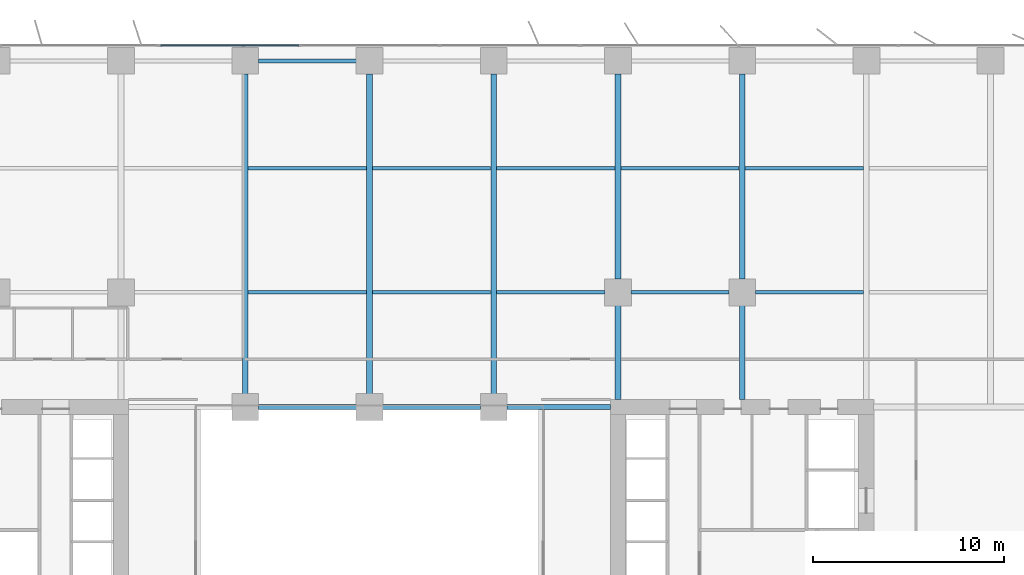
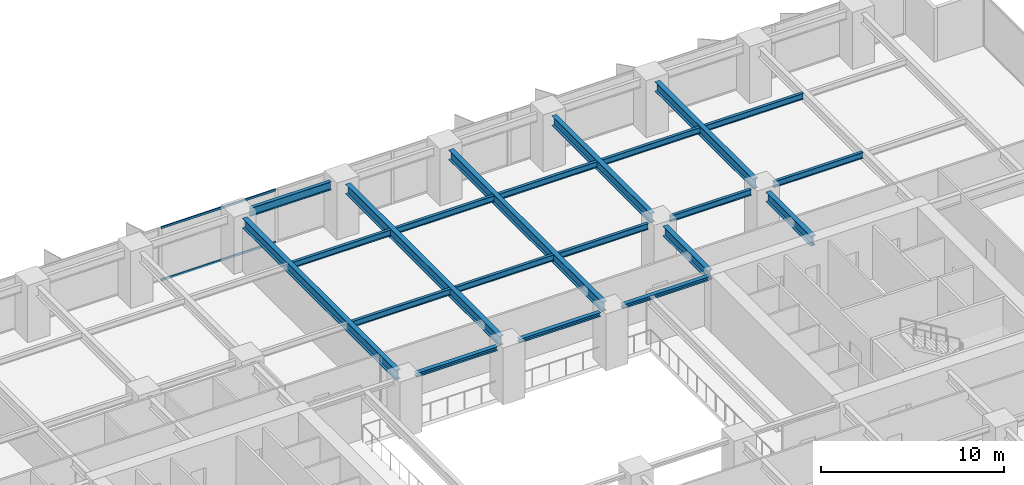
# One storey, part 8 of 20: 21 beams, 2 members, 1 element without a shape of its own.
"""IFC4 building model written with IfcOpenShell, lengths in metres."""

from ifc_helpers import new_model, si_unit, direction, frame, origin, origin_2d, place, context, subcontext, project, spatial, rectangle, i_section, extrude, material, layer, layer_set, material_profile, profile_set, type_object, element, aggregate, save


model = new_model("IFC4")

# Units and contexts
model_context = context("Model", 3, precision=1e-05, world=origin(), true_north=direction((0.0, 1.0)))
body_context = subcontext(model_context, "Body", "Model", "MODEL_VIEW")
ifc_project = project(units=[si_unit("LENGTHUNIT", "METRE"), si_unit("AREAUNIT", "SQUARE_METRE"), si_unit("VOLUMEUNIT", "CUBIC_METRE"), si_unit("PLANEANGLEUNIT", "RADIAN"), si_unit("MASSUNIT", "GRAM", prefix="KILO")], contexts=[model_context])

# Site, building, storey
site_placement = place(None, origin())
site = spatial("IfcSite", under=ifc_project, at=site_placement, CompositionType="ELEMENT")
building_placement = place(site_placement, origin())
building = spatial("IfcBuilding", under=site, at=building_placement, Name="Putna Gate Headquarters", CompositionType="ELEMENT")
storey_placement = place(building_placement, frame((0.0, 0.0, 35.39990234375)))
storey = spatial("IfcBuildingStorey", under=building, at=storey_placement, Name="L07", CompositionType="ELEMENT", Elevation=35.39990234375)

# Beams
ifc_material_1 = material(Name="Steel S355J2", Category="steel")
ifc_material_profile_1 = material_profile(ifc_material_1, i_section(OverallWidth=0.260009765625, OverallDepth=0.260009765625, WebThickness=0.010009765625, FlangeThickness=0.017578125, at=origin_2d()), Name="Steel S355J2")
ifc_profile_set_1 = profile_set([ifc_material_profile_1], Name="Steel S355J2")
beam_type_1 = type_object("IfcBeamType", Name="BM-ATRIUM-HEB260", PredefinedType="BEAM", material=ifc_profile_set_1)
for number, where, z_axis, x_axis, name in (
    (1, (33.18798828125, 33.0, 3.420166015625), (1.0, 0.0, 0.0), (0.0, 1.0, 0.0), "L07 Atrium Edge Beam AN2"),
    (2, (39.68798828125, 33.0, 3.420166015625), (1.0, 0.0, 0.0), (0.0, 1.0, 0.0), "L07 Atrium Edge Beam AN3"),
):
    element("IfcBeam", number, at=place(storey_placement, frame(where, z_axis=z_axis, x_axis=x_axis)), inside=storey, type_object=beam_type_1, Name=name, PredefinedType="BEAM", context=body_context, shape_type="SweptSolid", body=[
        extrude(i_section(OverallWidth=0.260009765625, OverallDepth=0.260009765625, WebThickness=0.010009765625, FlangeThickness=0.017578125, at=origin_2d()), origin(), (0.0, 0.0, 1.0), 5.1240234375),
    ])
beam_1_placement = place(storey_placement, frame((46.18798828125, 33.0, 3.420166015625), z_axis=(1.0, 0.0, 0.0), x_axis=(0.0, 1.0, 0.0)))
element("IfcBeam", 3, at=beam_1_placement, inside=storey, type_object=beam_type_1, Name="L07 Atrium Edge Beam AN4", PredefinedType="BEAM", context=body_context, shape_type="SweptSolid", body=[
    extrude(i_section(OverallWidth=0.260009765625, OverallDepth=0.260009765625, WebThickness=0.010009765625, FlangeThickness=0.017578125, at=origin_2d()), origin(), (0.0, 0.0, 1.0), 5.427001953125),
])
ifc_material_profile_2 = material_profile(ifc_material_1, i_section(OverallWidth=0.300048828125, OverallDepth=0.64990234375, WebThickness=0.01611328125, FlangeThickness=0.031005859375, at=origin_2d()), Name="Steel S355J2")
ifc_profile_set_2 = profile_set([ifc_material_profile_2], Name="Steel S355J2")
beam_type_2 = type_object("IfcBeamType", Name="BM-GIRD-Z1-HEB650", PredefinedType="USERDEFINED", material=ifc_profile_set_2)
for number, where, z_axis, x_axis, name in (
    (4, (32.5, 33.68798828125, 3.22509765625), (0.0, 1.0, 0.0), (-1.0, 0.0, 0.0), "L07 North Primary Girder X32"),
    (5, (39.0, 33.68798828125, 3.22509765625), (0.0, 1.0, 0.0), (-1.0, 0.0, 0.0), "L07 North Primary Girder X39"),
    (6, (45.5, 33.68798828125, 3.22509765625), (0.0, 1.0, 0.0), (-1.0, 0.0, 0.0), "L07 North Primary Girder X45"),
):
    element("IfcBeam", number, at=place(storey_placement, frame(where, z_axis=z_axis, x_axis=x_axis)), inside=storey, type_object=beam_type_2, Name=name, ObjectType="GIRDER", PredefinedType="USERDEFINED", context=body_context, shape_type="SweptSolid", body=[
        extrude(i_section(OverallWidth=0.300048828125, OverallDepth=0.64990234375, WebThickness=0.01611328125, FlangeThickness=0.031005859375, at=origin_2d()), origin(), (0.0, 0.0, 1.0), 16.743896484375),
    ])
beam_2_placement = place(storey_placement, frame((52.0, 33.385009765625, 3.22509765625), z_axis=(0.0, 1.0, 0.0), x_axis=(-1.0, 0.0, 0.0)))
element("IfcBeam", 7, at=beam_2_placement, inside=storey, type_object=beam_type_2, Name="L07 North Primary Girder X52-1", ObjectType="GIRDER", PredefinedType="USERDEFINED", context=body_context, shape_type="SweptSolid", body=[
    extrude(i_section(OverallWidth=0.300048828125, OverallDepth=0.64990234375, WebThickness=0.01611328125, FlangeThickness=0.031005859375, at=origin_2d()), origin(), (0.0, 0.0, 1.0), 4.927001953125),
])
beam_3_placement = place(storey_placement, frame((52.0, 39.68798828125, 3.22509765625), z_axis=(0.0, 1.0, 0.0), x_axis=(-1.0, 0.0, 0.0)))
element("IfcBeam", 8, at=beam_3_placement, inside=storey, type_object=beam_type_2, Name="L07 North Primary Girder X52-2", ObjectType="GIRDER", PredefinedType="USERDEFINED", context=body_context, shape_type="SweptSolid", body=[
    extrude(i_section(OverallWidth=0.300048828125, OverallDepth=0.64990234375, WebThickness=0.01611328125, FlangeThickness=0.031005859375, at=origin_2d()), origin(), (0.0, 0.0, 1.0), 10.743896484375),
])
beam_4_placement = place(storey_placement, frame((58.5, 33.385009765625, 3.22509765625), z_axis=(0.0, 1.0, 0.0), x_axis=(-1.0, 0.0, 0.0)))
element("IfcBeam", 9, at=beam_4_placement, inside=storey, type_object=beam_type_2, Name="L07 North Primary Girder X58-1", ObjectType="GIRDER", PredefinedType="USERDEFINED", context=body_context, shape_type="SweptSolid", body=[
    extrude(i_section(OverallWidth=0.300048828125, OverallDepth=0.64990234375, WebThickness=0.01611328125, FlangeThickness=0.031005859375, at=origin_2d()), origin(), (0.0, 0.0, 1.0), 4.927001953125),
])
beam_5_placement = place(storey_placement, frame((58.5, 39.68798828125, 3.22509765625), z_axis=(0.0, 1.0, 0.0), x_axis=(-1.0, 0.0, 0.0)))
element("IfcBeam", 10, at=beam_5_placement, inside=storey, type_object=beam_type_2, Name="L07 North Primary Girder X58-2", ObjectType="GIRDER", PredefinedType="USERDEFINED", context=body_context, shape_type="SweptSolid", body=[
    extrude(i_section(OverallWidth=0.300048828125, OverallDepth=0.64990234375, WebThickness=0.01611328125, FlangeThickness=0.031005859375, at=origin_2d()), origin(), (0.0, 0.0, 1.0), 10.743896484375),
])
ifc_material_profile_3 = material_profile(ifc_material_1, i_section(OverallWidth=0.179931640625, OverallDepth=0.39990234375, WebThickness=0.008544921875, FlangeThickness=0.013427734375, at=origin_2d()), Name="Steel S355J2")
ifc_profile_set_3 = profile_set([ifc_material_profile_3], Name="Steel S355J2")
beam_type_3 = type_object("IfcBeamType", Name="BM-SEC-Z1-IPE400", PredefinedType="BEAM", material=ifc_profile_set_3)
for number, where, z_axis, x_axis, name in (
    (11, (32.654052734375, 39.0, 3.35009765625), (1.0, 0.0, 0.0), (0.0, 1.0, 0.0), "L07 North Secondary Beam 5"),
    (12, (32.654052734375, 45.5, 3.35009765625), (1.0, 0.0, 0.0), (0.0, 1.0, 0.0), "L07 North Secondary Beam 5"),
    (13, (39.154052734375, 39.0, 3.35009765625), (1.0, 0.0, 0.0), (0.0, 1.0, 0.0), "L07 North Secondary Beam 6"),
    (14, (39.154052734375, 45.5, 3.35009765625), (1.0, 0.0, 0.0), (0.0, 1.0, 0.0), "L07 North Secondary Beam 6"),
):
    element("IfcBeam", number, at=place(storey_placement, frame(where, z_axis=z_axis, x_axis=x_axis)), inside=storey, type_object=beam_type_3, Name=name, PredefinedType="BEAM", context=body_context, shape_type="SweptSolid", body=[
        extrude(i_section(OverallWidth=0.179931640625, OverallDepth=0.39990234375, WebThickness=0.008544921875, FlangeThickness=0.013427734375, at=origin_2d()), origin(), (0.0, 0.0, 1.0), 6.19189453125),
    ])
beam_6_placement = place(storey_placement, frame((45.654052734375, 39.0, 3.35009765625), z_axis=(1.0, 0.0, 0.0), x_axis=(0.0, 1.0, 0.0)))
element("IfcBeam", 15, at=beam_6_placement, inside=storey, type_object=beam_type_3, Name="L07 North Secondary Beam 7", PredefinedType="BEAM", context=body_context, shape_type="SweptSolid", body=[
    extrude(i_section(OverallWidth=0.179931640625, OverallDepth=0.39990234375, WebThickness=0.008544921875, FlangeThickness=0.013427734375, at=origin_2d()), origin(), (0.0, 0.0, 1.0), 5.657958984375),
])
beam_7_placement = place(storey_placement, frame((45.654052734375, 45.5, 3.35009765625), z_axis=(1.0, 0.0, 0.0), x_axis=(0.0, 1.0, 0.0)))
element("IfcBeam", 16, at=beam_7_placement, inside=storey, type_object=beam_type_3, Name="L07 North Secondary Beam 7", PredefinedType="BEAM", context=body_context, shape_type="SweptSolid", body=[
    extrude(i_section(OverallWidth=0.179931640625, OverallDepth=0.39990234375, WebThickness=0.008544921875, FlangeThickness=0.013427734375, at=origin_2d()), origin(), (0.0, 0.0, 1.0), 6.19189453125),
])
beam_8_placement = place(storey_placement, frame((52.68798828125, 39.0, 3.35009765625), z_axis=(1.0, 0.0, 0.0), x_axis=(0.0, 1.0, 0.0)))
element("IfcBeam", 17, at=beam_8_placement, inside=storey, type_object=beam_type_3, Name="L07 North Secondary Beam 8", PredefinedType="BEAM", context=body_context, shape_type="SweptSolid", body=[
    extrude(i_section(OverallWidth=0.179931640625, OverallDepth=0.39990234375, WebThickness=0.008544921875, FlangeThickness=0.013427734375, at=origin_2d()), origin(), (0.0, 0.0, 1.0), 5.1240234375),
])
beam_9_placement = place(storey_placement, frame((52.154052734375, 45.5, 3.35009765625), z_axis=(1.0, 0.0, 0.0), x_axis=(0.0, 1.0, 0.0)))
element("IfcBeam", 18, at=beam_9_placement, inside=storey, type_object=beam_type_3, Name="L07 North Secondary Beam 8", PredefinedType="BEAM", context=body_context, shape_type="SweptSolid", body=[
    extrude(i_section(OverallWidth=0.179931640625, OverallDepth=0.39990234375, WebThickness=0.008544921875, FlangeThickness=0.013427734375, at=origin_2d()), origin(), (0.0, 0.0, 1.0), 6.19189453125),
])
beam_10_placement = place(storey_placement, frame((59.18798828125, 39.0, 3.35009765625), z_axis=(1.0, 0.0, 0.0), x_axis=(0.0, 1.0, 0.0)))
element("IfcBeam", 19, at=beam_10_placement, inside=storey, type_object=beam_type_3, Name="L07 North Secondary Beam 9", PredefinedType="BEAM", context=body_context, shape_type="SweptSolid", body=[
    extrude(i_section(OverallWidth=0.179931640625, OverallDepth=0.39990234375, WebThickness=0.008544921875, FlangeThickness=0.013427734375, at=origin_2d()), origin(), (0.0, 0.0, 1.0), 5.657958984375),
])
beam_11_placement = place(storey_placement, frame((58.654052734375, 45.5, 3.35009765625), z_axis=(1.0, 0.0, 0.0), x_axis=(0.0, 1.0, 0.0)))
element("IfcBeam", 20, at=beam_11_placement, inside=storey, type_object=beam_type_3, Name="L07 North Secondary Beam 9", PredefinedType="BEAM", context=body_context, shape_type="SweptSolid", body=[
    extrude(i_section(OverallWidth=0.179931640625, OverallDepth=0.39990234375, WebThickness=0.008544921875, FlangeThickness=0.013427734375, at=origin_2d()), origin(), (0.0, 0.0, 1.0), 6.19189453125),
])
ifc_material_profile_4 = material_profile(ifc_material_1, i_section(OverallWidth=0.2099609375, OverallDepth=0.550048828125, WebThickness=0.010986328125, FlangeThickness=0.01708984375, at=origin_2d()), Name="Steel S355J2")
ifc_profile_set_4 = profile_set([ifc_material_profile_4], Name="Steel S355J2")
beam_type_4 = type_object("IfcBeamType", Name="BM-SPAN-Z1-IPE550", PredefinedType="SPANDREL", material=ifc_profile_set_4)
beam_12_placement = place(storey_placement, frame((33.18798828125, 51.1201171875, 3.275146484375), z_axis=(1.0, 0.0, 0.0), x_axis=(0.0, 1.0, 0.0)))
element("IfcBeam", 21, at=beam_12_placement, inside=storey, type_object=beam_type_4, Name="L07 N Perimeter Spandrel 5", PredefinedType="SPANDREL", context=body_context, shape_type="SweptSolid", body=[
    extrude(i_section(OverallWidth=0.2099609375, OverallDepth=0.550048828125, WebThickness=0.010986328125, FlangeThickness=0.01708984375, at=origin_2d()), origin(), (0.0, 0.0, 1.0), 5.1240234375),
])

# Curtain wall, members
ifc_material_2 = material(Name="Anodised bronze aluminium curtain wall", Category="aluminium")
ifc_layer = layer(ifc_material_2, 0.179931640625)
ifc_layer_set = layer_set([ifc_layer], Name="Anodised bronze aluminium curtain wall")
curtain_wall_type = type_object("IfcCurtainWallType", Name="CW-SYS-ATR", PredefinedType="USERDEFINED", material=ifc_layer_set)
curtain_wall_placement = place(storey_placement, origin())
curtain_wall = element("IfcCurtainWall", 22, at=curtain_wall_placement, inside=storey, type_object=curtain_wall_type, Name="L07 North Atrium Clear Glazing", ObjectType="ATRIUM GLAZING", PredefinedType="USERDEFINED")
ifc_material_3 = material(Name="Anodised bronze aluminium EN AW-6060", Category="aluminium")
ifc_material_profile_5 = material_profile(ifc_material_3, rectangle(XDim=0.070068359375, YDim=0.139892578125, at=origin_2d()), Name="Anodised bronze aluminium EN AW-6060")
ifc_profile_set_5 = profile_set([ifc_material_profile_5], Name="Anodised bronze aluminium EN AW-6060")
member_type = type_object("IfcMemberType", Name="TRAN-CWT-AT", PredefinedType="USERDEFINED", material=ifc_profile_set_5)
member_1_placement = place(storey_placement, frame((28.070068359375, 51.919921875, 0.03515625), z_axis=(1.0, 0.0, 0.0), x_axis=(0.0, 1.0, 0.0)))
member_1 = element("IfcMember", 23, at=member_1_placement, type_object=member_type, Name="CWS-AT transom 1.1", ObjectType="TRANSOM", PredefinedType="USERDEFINED", context=body_context, shape_type="SweptSolid", body=[
    extrude(rectangle(XDim=0.070068359375, YDim=0.139892578125, at=origin_2d()), origin(), (0.0, 0.0, 1.0), 7.228271484375),
])
member_2_placement = place(storey_placement, frame((28.070068359375, 51.919921875, 3.51513671875), z_axis=(1.0, 0.0, 0.0), x_axis=(0.0, 1.0, 0.0)))
member_2 = element("IfcMember", 24, at=member_2_placement, type_object=member_type, Name="CWS-AT transom 1.2", ObjectType="TRANSOM", PredefinedType="USERDEFINED", context=body_context, shape_type="SweptSolid", body=[
    extrude(rectangle(XDim=0.070068359375, YDim=0.139892578125, at=origin_2d()), origin(), (0.0, 0.0, 1.0), 7.228271484375),
])
aggregate(curtain_wall, [member_1, member_2])

save(model, "model.ifc")
